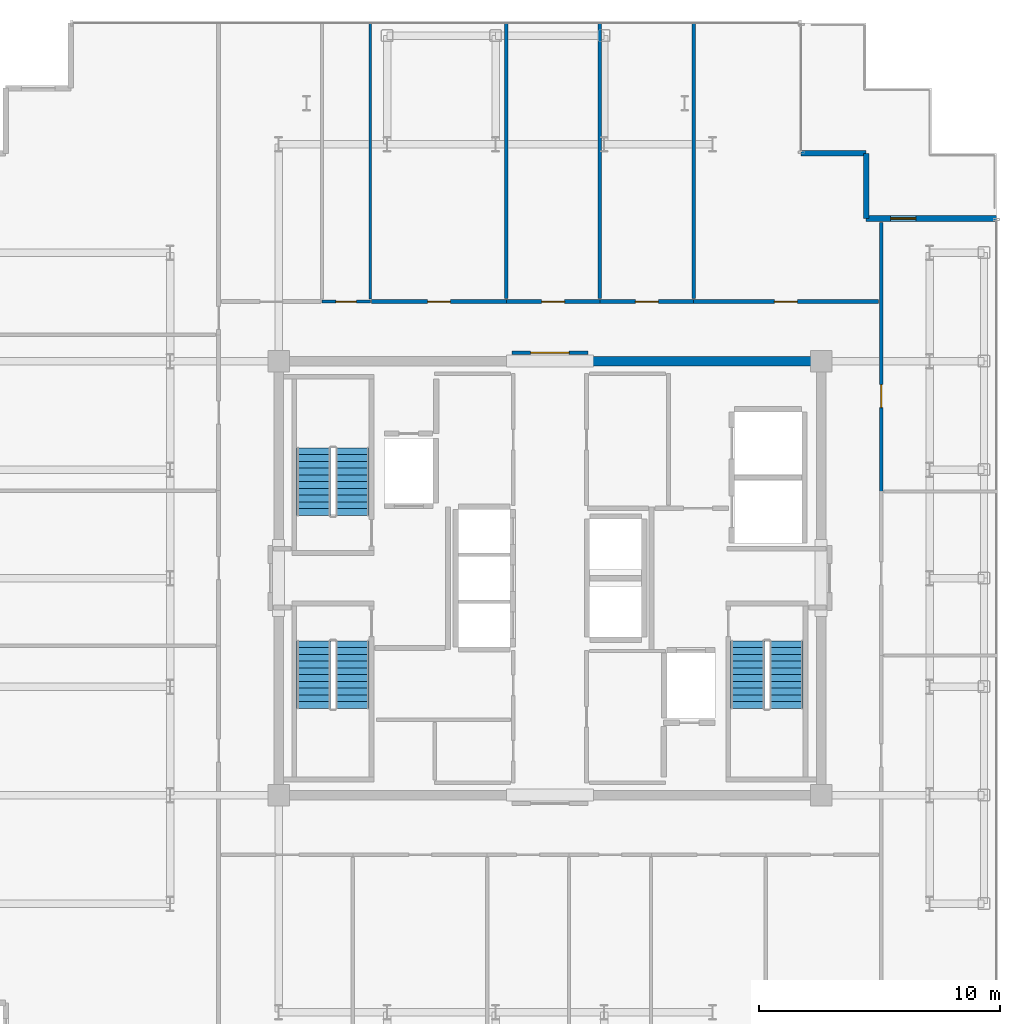
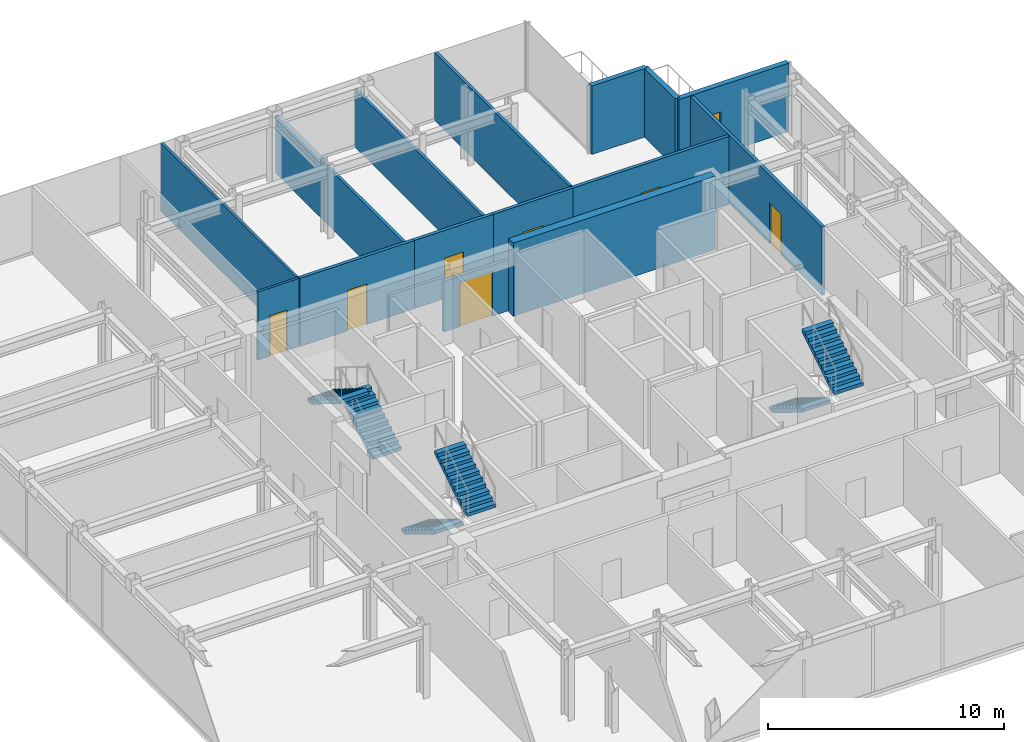
# One storey, part 15 of 17: 15 walls, 8 doors, 6 stair flights, 8 openings, 3 elements without a shape of their own.
"""IFC4 building model written with IfcOpenShell, lengths in metres."""

from ifc_helpers import new_model, si_unit, direction, frame, frame_2d, origin, place, context, subcontext, project, spatial, polyline, rectangle, outline, extrude, source, transform, mapped, material, layer, layer_set, type_object, element, fill, aggregate, save


model = new_model("IFC4")

# Units and contexts
model_context = context("Model", 3, precision=1e-05, world=origin(), true_north=direction((0.0, 1.0)))
body_context = subcontext(model_context, "Body", "Model", "MODEL_VIEW")
ifc_project = project(units=[si_unit("LENGTHUNIT", "METRE"), si_unit("AREAUNIT", "SQUARE_METRE"), si_unit("VOLUMEUNIT", "CUBIC_METRE"), si_unit("PLANEANGLEUNIT", "RADIAN"), si_unit("MASSUNIT", "GRAM", prefix="KILO")], contexts=[model_context])

# Site, building, storey
site_placement = place(None, origin())
site = spatial("IfcSite", under=ifc_project, at=site_placement, CompositionType="ELEMENT")
building_placement = place(site_placement, origin())
building = spatial("IfcBuilding", under=site, at=building_placement, Name="Nefas-Gora Pilgrimage Tower", CompositionType="ELEMENT")
storey_placement = place(building_placement, frame((0.0, 0.0, 337.60009765625)))
storey = spatial("IfcBuildingStorey", under=building, at=storey_placement, Name="L85", CompositionType="ELEMENT", Elevation=337.60009765625)

# Wall
ifc_material_1 = material(Name="Concrete C50/60", Category="concrete")
ifc_layer_1 = layer(ifc_material_1, 0.39990234375)
ifc_layer_set_1 = layer_set([ifc_layer_1], Name="Concrete C50/60")
wall_type_1 = type_object("IfcWallType", Name="SW-CORE-400", PredefinedType="SHEAR", material=ifc_layer_set_1)
shared_shape_1 = source(origin(), body_context, "Body", "SweptSolid", [
    extrude(rectangle(XDim=9.89990234375, YDim=0.39990234375, at=frame_2d((4.949951171875, 0.0))), origin(), (0.0, 0.0, 1.0), 3.7998046875),
])
wall_1_placement = place(storey_placement, frame((1.550048828125, 9.0, 0.0), z_axis=(0.0, 0.0, 1.0), x_axis=(1.0, 0.0, 0.0)))
element("IfcWall", 1, at=wall_1_placement, inside=storey, type_object=wall_type_1, Name="L85 Core Shear Wall N-East", PredefinedType="SHEAR", context=body_context, shape_type="MappedRepresentation", body=[
    mapped(shared_shape_1, transform((0.0, 0.0, 0.0), x_axis=(1.0, 0.0, 0.0), y_axis=(0.0, 1.0, 0.0), z_axis=(0.0, 0.0, 1.0), scale=1.0)),
])

# Wall, opening, door
ifc_material_2 = material(Name="Precast concrete C40/50", Category="concrete")
ifc_layer_2 = layer(ifc_material_2, 0.260009765625)
ifc_layer_set_2 = layer_set([ifc_layer_2], Name="Precast concrete C40/50")
wall_type_2 = type_object("IfcWallType", Name="EW-PORTAL-260", PredefinedType="SOLIDWALL", material=ifc_layer_set_2)
shared_shape_2 = source(origin(), body_context, "Body", "SweptSolid", [
    extrude(rectangle(XDim=5.39990234375, YDim=0.260009765625, at=frame_2d((2.699951171875, 0.0))), origin(), (0.0, 0.0, 1.0), 3.5498046875),
])
wall_2_placement = place(storey_placement, frame((18.52001953125, 14.919921875, 0.0), z_axis=(0.0, 0.0, 1.0), x_axis=(-1.0, 0.0, 0.0)))
wall_2 = element("IfcWall", 2, at=wall_2_placement, inside=storey, type_object=wall_type_2, Name="L85 Insulated Terrace Portal Wall 1", PredefinedType="SOLIDWALL", context=body_context, shape_type="MappedRepresentation", body=[
    mapped(shared_shape_2, transform((0.0, 0.0, 0.0), x_axis=(1.0, 0.0, 0.0), y_axis=(0.0, 1.0, 0.0), z_axis=(0.0, 0.0, 1.0), scale=1.0)),
])
opening_1_placement = place(wall_2_placement, frame((3.342041015625, 0.0, 0.0)))
opening_1 = element("IfcOpeningElement", 3, at=opening_1_placement, cuts=wall_2, Name="Opening ED-T1", PredefinedType="OPENING", context=body_context, shape_type="SweptSolid", body=[
    extrude(rectangle(XDim=1.050048828125, YDim=2.199951171875, at=frame_2d((0.52490234375, 1.10009765625))), frame((0.0, 0.139892578125, 0.0), z_axis=(0.0, -1.0, 0.0), x_axis=(1.0, 0.0, 0.0)), (0.0, 0.0, 1.0), 0.280029296875),
])
ifc_material_3 = material(Name="Thermally broken glazed aluminium terrace door", Category="aluminium")
door_type_1 = type_object("IfcDoorType", Name="DR-EXT-TER-1050", OperationType="NOTDEFINED", PredefinedType="DOOR", material=ifc_material_3)
shared_shape_3 = source(origin(), body_context, "Body", "SweptSolid", [
    extrude(rectangle(XDim=1.050048828125, YDim=2.199951171875, at=frame_2d((0.52490234375, 1.10009765625))), frame((0.0, 0.02490234375, 0.0), z_axis=(0.0, -1.0, 0.0), x_axis=(1.0, 0.0, 0.0)), (0.0, 0.0, 1.0), 0.050048828125),
])
door_1_placement = place(opening_1_placement, origin())
door_1 = element("IfcDoor", 4, at=door_1_placement, inside=storey, type_object=door_type_1, Name="L85 Exterior Door (L85 Outdoor Terrace TER-SP-NE)", OperationType="SINGLE_SWING_LEFT", OverallHeight=2.199951171875, OverallWidth=1.050048828125, PredefinedType="DOOR", context=body_context, shape_type="MappedRepresentation", body=[
    mapped(shared_shape_3, transform((0.0, 0.0, 0.0), x_axis=(1.0, 0.0, 0.0), y_axis=(0.0, 1.0, 0.0), z_axis=(0.0, 0.0, 1.0), scale=1.0)),
])
fill(opening_1, door_1)

# Walls
ifc_material_4 = material(Name="Precast concrete C45/55", Category="concrete")
ifc_layer_3 = layer(ifc_material_4, 0.239990234375)
ifc_layer_set_3 = layer_set([ifc_layer_3], Name="Precast concrete C45/55")
wall_type_3 = type_object("IfcWallType", Name="EW-SERR-240", PredefinedType="SHEAR", material=ifc_layer_set_3)
shared_shape_4 = source(origin(), body_context, "Body", "SweptSolid", [
    extrude(rectangle(XDim=2.7001953125, YDim=0.239990234375, at=frame_2d((1.35009765625, 0.0))), origin(), (0.0, 0.0, 1.0), 3.5498046875),
])
for number, where, z_axis, x_axis, name in (
    (5, (13.1201171875, 14.919921875, 0.0), (0.0, 0.0, 1.0), (0.0, 1.0, 0.0), "L85 Serrated Corner Shear Pier Wall 2"),
    (6, (13.1201171875, 17.6201171875, 0.0), (0.0, 0.0, 1.0), (-1.0, 0.0, 0.0), "L85 Serrated Corner Shear Pier Wall 3"),
):
    element("IfcWall", number, at=place(storey_placement, frame(where, z_axis=z_axis, x_axis=x_axis)), inside=storey, type_object=wall_type_3, Name=name, PredefinedType="SHEAR", context=body_context, shape_type="MappedRepresentation", body=[
        mapped(shared_shape_4, transform((0.0, 0.0, 0.0), x_axis=(1.0, 0.0, 0.0), y_axis=(0.0, 1.0, 0.0), z_axis=(0.0, 0.0, 1.0), scale=1.0)),
    ])

# Wall, opening, door
ifc_material_5 = material(Name="Moisture-resistant fire-rated gypsum partition")
ifc_layer_4 = layer(ifc_material_5, 0.1201171875)
ifc_layer_set_4 = layer_set([ifc_layer_4], Name="Moisture-resistant fire-rated gypsum partition")
wall_type_4 = type_object("IfcWallType", Name="IW-WET-120", PredefinedType="PLUMBINGWALL", material=ifc_layer_set_4)
shared_shape_5 = source(origin(), body_context, "Body", "SweptSolid", [
    extrude(rectangle(XDim=2.02001953125, YDim=0.1201171875, at=frame_2d((1.010009765625, 0.0))), origin(), (0.0, 0.0, 1.0), 3.534912109375),
])
wall_3_placement = place(storey_placement, frame((-9.4599609375, 11.469970703125, 0.0), z_axis=(0.0, 0.0, 1.0), x_axis=(1.0, 0.0, 0.0)))
wall_3 = element("IfcWall", 7, at=wall_3_placement, inside=storey, type_object=wall_type_4, Name="L85 Accessible Unisex WC Partition Wall 34", PredefinedType="PLUMBINGWALL", context=body_context, shape_type="MappedRepresentation", body=[
    mapped(shared_shape_5, transform((0.0, 0.0, 0.0), x_axis=(1.0, 0.0, 0.0), y_axis=(0.0, 1.0, 0.0), z_axis=(0.0, 0.0, 1.0), scale=1.0)),
])
opening_2_placement = place(wall_3_placement, frame((0.5849609375, 0.0, 0.0)))
opening_2 = element("IfcOpeningElement", 8, at=opening_2_placement, cuts=wall_3, Name="Opening ID-BT1", PredefinedType="OPENING", context=body_context, shape_type="SweptSolid", body=[
    extrude(rectangle(XDim=0.85009765625, YDim=2.10009765625, at=frame_2d((0.425048828125, 1.050048828125))), frame((0.0, 0.070068359375, 0.0), z_axis=(0.0, -1.0, 0.0), x_axis=(1.0, 0.0, 0.0)), (0.0, 0.0, 1.0), 0.14013671875),
])
ifc_material_6 = material(Name="Moisture-resistant fire-rated timber door", Category="wood")
door_type_2 = type_object("IfcDoorType", Name="DR-INT-BATH-850", OperationType="NOTDEFINED", PredefinedType="DOOR", material=ifc_material_6)
shared_shape_6 = source(origin(), body_context, "Body", "SweptSolid", [
    extrude(rectangle(XDim=0.85009765625, YDim=2.10009765625, at=frame_2d((0.425048828125, 1.050048828125))), frame((0.0, 0.02490234375, 0.0), z_axis=(0.0, -1.0, 0.0), x_axis=(1.0, 0.0, 0.0)), (0.0, 0.0, 1.0), 0.050048828125),
])
door_2_placement = place(opening_2_placement, origin())
door_2 = element("IfcDoor", 9, at=door_2_placement, inside=storey, type_object=door_type_2, Name="L85 Accessible Unisex WC Door 14", OperationType="SINGLE_SWING_RIGHT", OverallHeight=2.10009765625, OverallWidth=0.85009765625, PredefinedType="DOOR", context=body_context, shape_type="MappedRepresentation", body=[
    mapped(shared_shape_6, transform((0.0, 0.0, 0.0), x_axis=(1.0, 0.0, 0.0), y_axis=(0.0, 1.0, 0.0), z_axis=(0.0, 0.0, 1.0), scale=1.0)),
])
fill(opening_2, door_2)

ifc_material_7 = material(Name="Gypsum acoustic stud partition")
ifc_layer_5 = layer(ifc_material_7, 0.159912109375)
ifc_layer_set_5 = layer_set([ifc_layer_5], Name="Gypsum acoustic stud partition")
wall_type_5 = type_object("IfcWallType", Name="IW-CORR-160", PredefinedType="PARTITIONING", material=ifc_layer_set_5)
shared_shape_7 = source(origin(), body_context, "Body", "SweptSolid", [
    extrude(rectangle(XDim=5.610107421875, YDim=0.159912109375, at=frame_2d((2.80517578125, 0.0))), origin(), (0.0, 0.0, 1.0), 3.534912109375),
])
wall_4_placement = place(storey_placement, frame((-7.405029296875, 11.469970703125, 0.0), z_axis=(0.0, 0.0, 1.0), x_axis=(1.0, 0.0, 0.0)))
wall_4 = element("IfcWall", 10, at=wall_4_placement, inside=storey, type_object=wall_type_5, Name="L85 Pilgrim Contemplative Lounge Partition Wall 50", PredefinedType="PARTITIONING", context=body_context, shape_type="MappedRepresentation", body=[
    mapped(shared_shape_7, transform((0.0, 0.0, 0.0), x_axis=(1.0, 0.0, 0.0), y_axis=(0.0, 1.0, 0.0), z_axis=(0.0, 0.0, 1.0), scale=1.0)),
])
opening_3_placement = place(wall_4_placement, frame((2.330078125, 0.0, 0.0)))
opening_3 = element("IfcOpeningElement", 11, at=opening_3_placement, cuts=wall_4, Name="Opening ID-GR1", PredefinedType="OPENING", context=body_context, shape_type="SweptSolid", body=[
    extrude(rectangle(XDim=0.949951171875, YDim=2.10009765625, at=frame_2d((0.47509765625, 1.050048828125))), frame((0.0, 0.08984375, 0.0), z_axis=(0.0, -1.0, 0.0), x_axis=(1.0, 0.0, 0.0)), (0.0, 0.0, 1.0), 0.179931640625),
])
ifc_material_8 = material(Name="Solid core oak fire-rated guest entrance door")
door_type_3 = type_object("IfcDoorType", Name="DR-INT-GUEST-950", OperationType="NOTDEFINED", PredefinedType="DOOR", material=ifc_material_8)
shared_shape_8 = source(origin(), body_context, "Body", "SweptSolid", [
    extrude(rectangle(XDim=0.949951171875, YDim=2.10009765625, at=frame_2d((0.47509765625, 1.050048828125))), frame((0.0, 0.02490234375, 0.0), z_axis=(0.0, -1.0, 0.0), x_axis=(1.0, 0.0, 0.0)), (0.0, 0.0, 1.0), 0.050048828125),
])
door_3_placement = place(opening_3_placement, origin())
door_3 = element("IfcDoor", 12, at=door_3_placement, inside=storey, type_object=door_type_3, Name="L85 Pilgrim Contemplative Lounge Door 23", OperationType="SINGLE_SWING_LEFT", OverallHeight=2.10009765625, OverallWidth=0.949951171875, PredefinedType="DOOR", context=body_context, shape_type="MappedRepresentation", body=[
    mapped(shared_shape_8, transform((0.0, 0.0, 0.0), x_axis=(1.0, 0.0, 0.0), y_axis=(0.0, 1.0, 0.0), z_axis=(0.0, 0.0, 1.0), scale=1.0)),
])
fill(opening_3, door_3)

shared_shape_9 = source(origin(), body_context, "Body", "SweptSolid", [
    extrude(rectangle(XDim=7.66015625, YDim=0.159912109375, at=frame_2d((3.830078125, 0.0))), origin(), (0.0, 0.0, 1.0), 3.534912109375),
])
wall_5_placement = place(storey_placement, frame((5.9599609375, 11.469970703125, 0.0), z_axis=(0.0, 0.0, 1.0), x_axis=(1.0, 0.0, 0.0)))
wall_5 = element("IfcWall", 13, at=wall_5_placement, inside=storey, type_object=wall_type_5, Name="L85 Pilgrim Contemplative Lounge Partition Wall 52", PredefinedType="PARTITIONING", context=body_context, shape_type="MappedRepresentation", body=[
    mapped(shared_shape_9, transform((0.0, 0.0, 0.0), x_axis=(1.0, 0.0, 0.0), y_axis=(0.0, 1.0, 0.0), z_axis=(0.0, 0.0, 1.0), scale=1.0)),
])
opening_4_placement = place(wall_5_placement, frame((3.35498046875, 0.0, 0.0)))
opening_4 = element("IfcOpeningElement", 14, at=opening_4_placement, cuts=wall_5, Name="Opening ID-GR1", PredefinedType="OPENING", context=body_context, shape_type="SweptSolid", body=[
    extrude(rectangle(XDim=0.949951171875, YDim=2.10009765625, at=frame_2d((0.47509765625, 1.050048828125))), frame((0.0, 0.08984375, 0.0), z_axis=(0.0, -1.0, 0.0), x_axis=(1.0, 0.0, 0.0)), (0.0, 0.0, 1.0), 0.179931640625),
])
door_4_placement = place(opening_4_placement, origin())
door_4 = element("IfcDoor", 15, at=door_4_placement, inside=storey, type_object=door_type_3, Name="L85 Pilgrim Contemplative Lounge Door 24", OperationType="SINGLE_SWING_RIGHT", OverallHeight=2.10009765625, OverallWidth=0.949951171875, PredefinedType="DOOR", context=body_context, shape_type="MappedRepresentation", body=[
    mapped(shared_shape_8, transform((0.0, 0.0, 0.0), x_axis=(1.0, 0.0, 0.0), y_axis=(0.0, 1.0, 0.0), z_axis=(0.0, 0.0, 1.0), scale=1.0)),
])
fill(opening_4, door_4)

shared_shape_10 = source(origin(), body_context, "Body", "SweptSolid", [
    extrude(rectangle(XDim=3.88232421875, YDim=0.159912109375, at=frame_2d((1.941162109375, 0.0))), origin(), (0.0, 0.0, 1.0), 3.534912109375),
])
wall_6_placement = place(storey_placement, frame((-1.804931640625, 11.469970703125, 0.0), z_axis=(0.0, 0.0, 1.0), x_axis=(1.0, 0.0, 0.0)))
wall_6 = element("IfcWall", 16, at=wall_6_placement, inside=storey, type_object=wall_type_5, Name="L85 Pilgrim Contemplative Lounge Partition Wall 54", PredefinedType="PARTITIONING", context=body_context, shape_type="MappedRepresentation", body=[
    mapped(shared_shape_10, transform((0.0, 0.0, 0.0), x_axis=(1.0, 0.0, 0.0), y_axis=(0.0, 1.0, 0.0), z_axis=(0.0, 0.0, 1.0), scale=1.0)),
])
opening_5_placement = place(wall_6_placement, frame((1.46630859375, 0.0, 0.0)))
opening_5 = element("IfcOpeningElement", 17, at=opening_5_placement, cuts=wall_6, Name="Opening ID-GR1", PredefinedType="OPENING", context=body_context, shape_type="SweptSolid", body=[
    extrude(rectangle(XDim=0.949951171875, YDim=2.10009765625, at=frame_2d((0.47509765625, 1.050048828125))), frame((0.0, 0.08984375, 0.0), z_axis=(0.0, -1.0, 0.0), x_axis=(1.0, 0.0, 0.0)), (0.0, 0.0, 1.0), 0.179931640625),
])
door_5_placement = place(opening_5_placement, origin())
door_5 = element("IfcDoor", 18, at=door_5_placement, inside=storey, type_object=door_type_3, Name="L85 Pilgrim Contemplative Lounge Door 25", OperationType="SINGLE_SWING_LEFT", OverallHeight=2.10009765625, OverallWidth=0.949951171875, PredefinedType="DOOR", context=body_context, shape_type="MappedRepresentation", body=[
    mapped(shared_shape_8, transform((0.0, 0.0, 0.0), x_axis=(1.0, 0.0, 0.0), y_axis=(0.0, 1.0, 0.0), z_axis=(0.0, 0.0, 1.0), scale=1.0)),
])
fill(opening_5, door_5)

shared_shape_11 = source(origin(), body_context, "Body", "SweptSolid", [
    extrude(rectangle(XDim=3.882568359375, YDim=0.159912109375, at=frame_2d((1.94140625, 0.0))), origin(), (0.0, 0.0, 1.0), 3.534912109375),
])
wall_7_placement = place(storey_placement, frame((2.077392578125, 11.469970703125, 0.0), z_axis=(0.0, 0.0, 1.0), x_axis=(1.0, 0.0, 0.0)))
wall_7 = element("IfcWall", 19, at=wall_7_placement, inside=storey, type_object=wall_type_5, Name="L85 Pilgrim Contemplative Lounge Partition Wall 56", PredefinedType="PARTITIONING", context=body_context, shape_type="MappedRepresentation", body=[
    mapped(shared_shape_11, transform((0.0, 0.0, 0.0), x_axis=(1.0, 0.0, 0.0), y_axis=(0.0, 1.0, 0.0), z_axis=(0.0, 0.0, 1.0), scale=1.0)),
])
opening_6_placement = place(wall_7_placement, frame((1.46630859375, 0.0, 0.0)))
opening_6 = element("IfcOpeningElement", 20, at=opening_6_placement, cuts=wall_7, Name="Opening ID-GR1", PredefinedType="OPENING", context=body_context, shape_type="SweptSolid", body=[
    extrude(rectangle(XDim=0.949951171875, YDim=2.10009765625, at=frame_2d((0.47509765625, 1.050048828125))), frame((0.0, 0.08984375, 0.0), z_axis=(0.0, -1.0, 0.0), x_axis=(1.0, 0.0, 0.0)), (0.0, 0.0, 1.0), 0.179931640625),
])
door_6_placement = place(opening_6_placement, origin())
door_6 = element("IfcDoor", 21, at=door_6_placement, inside=storey, type_object=door_type_3, Name="L85 Pilgrim Contemplative Lounge Door 26", OperationType="SINGLE_SWING_RIGHT", OverallHeight=2.10009765625, OverallWidth=0.949951171875, PredefinedType="DOOR", context=body_context, shape_type="MappedRepresentation", body=[
    mapped(shared_shape_8, transform((0.0, 0.0, 0.0), x_axis=(1.0, 0.0, 0.0), y_axis=(0.0, 1.0, 0.0), z_axis=(0.0, 0.0, 1.0), scale=1.0)),
])
fill(opening_6, door_6)

shared_shape_12 = source(origin(), body_context, "Body", "SweptSolid", [
    extrude(rectangle(XDim=3.16015625, YDim=0.159912109375, at=frame_2d((1.580078125, 0.0))), origin(), (0.0, 0.0, 1.0), 2.625),
])
wall_8_placement = place(storey_placement, frame((-1.580078125, 9.35009765625, 0.0), z_axis=(0.0, 0.0, 1.0), x_axis=(1.0, 0.0, 0.0)))
wall_8 = element("IfcWall", 22, at=wall_8_placement, inside=storey, type_object=wall_type_5, Name="L85 Central Lift Lobby North Portal Wall 16", PredefinedType="PARTITIONING", context=body_context, shape_type="MappedRepresentation", body=[
    mapped(shared_shape_12, transform((0.0, 0.0, 0.0), x_axis=(1.0, 0.0, 0.0), y_axis=(0.0, 1.0, 0.0), z_axis=(0.0, 0.0, 1.0), scale=1.0)),
])
opening_7_placement = place(wall_8_placement, frame((0.780029296875, 0.0, 0.0)))
opening_7 = element("IfcOpeningElement", 23, at=opening_7_placement, cuts=wall_8, Name="Opening ID-HL1", PredefinedType="OPENING", context=body_context, shape_type="SweptSolid", body=[
    extrude(rectangle(XDim=1.60009765625, YDim=2.300048828125, at=frame_2d((0.800048828125, 1.14990234375))), frame((0.0, 0.08984375, 0.0), z_axis=(0.0, -1.0, 0.0), x_axis=(1.0, 0.0, 0.0)), (0.0, 0.0, 1.0), 0.179931640625),
])
ifc_material_9 = material(Name="Double acoustic timber assembly hall door", Category="wood")
door_type_4 = type_object("IfcDoorType", Name="DR-INT-HALL-1600", OperationType="DOUBLE_DOOR_SINGLE_SWING", PredefinedType="DOOR", material=ifc_material_9)
shared_shape_13 = source(origin(), body_context, "Body", "SweptSolid", [
    extrude(rectangle(XDim=1.60009765625, YDim=2.300048828125, at=frame_2d((0.800048828125, 1.14990234375))), frame((0.0, 0.02490234375, 0.0), z_axis=(0.0, -1.0, 0.0), x_axis=(1.0, 0.0, 0.0)), (0.0, 0.0, 1.0), 0.050048828125),
])
door_7_placement = place(opening_7_placement, origin())
door_7 = element("IfcDoor", 24, at=door_7_placement, inside=storey, type_object=door_type_4, Name="L85 Central Lift Lobby North Portal Door 6", OperationType="DOUBLE_DOOR_SINGLE_SWING", OverallHeight=2.300048828125, OverallWidth=1.60009765625, PredefinedType="DOOR", context=body_context, shape_type="MappedRepresentation", body=[
    mapped(shared_shape_13, transform((0.0, 0.0, 0.0), x_axis=(1.0, 0.0, 0.0), y_axis=(0.0, 1.0, 0.0), z_axis=(0.0, 0.0, 1.0), scale=1.0)),
])
fill(opening_7, door_7)

# Walls
ifc_material_10 = material(Name="Gypsum twin-stud partition")
ifc_layer_6 = layer(ifc_material_10, 0.139892578125)
ifc_layer_set_6 = layer_set([ifc_layer_6], Name="Gypsum twin-stud partition")
wall_type_6 = type_object("IfcWallType", Name="IW-UNIT-140", PredefinedType="PARTITIONING", material=ifc_layer_set_6)
shared_shape_14 = source(origin(), body_context, "Body", "SweptSolid", [
    extrude(rectangle(XDim=11.449951171875, YDim=0.139892578125, at=frame_2d((5.72509765625, 0.0))), origin(), (0.0, 0.0, 1.0), 3.534912109375),
])
wall_9_placement = place(storey_placement, frame((5.969970703125, 11.590087890625, 0.0), z_axis=(0.0, 0.0, 1.0), x_axis=(0.0, 1.0, 0.0)))
element("IfcWall", 25, at=wall_9_placement, inside=storey, type_object=wall_type_6, Name="L85 Pilgrim Contemplative Lounge Partition Wall 53", PredefinedType="PARTITIONING", context=body_context, shape_type="MappedRepresentation", body=[
    mapped(shared_shape_14, transform((0.0, 0.0, 0.0), x_axis=(1.0, 0.0, 0.0), y_axis=(0.0, 1.0, 0.0), z_axis=(0.0, 0.0, 1.0), scale=1.0)),
])
shared_shape_15 = source(origin(), body_context, "Body", "SweptSolid", [
    extrude(rectangle(XDim=11.449951171875, YDim=0.139892578125, at=frame_2d((5.72509765625, 0.0))), origin(), (0.0, 0.0, 1.0), 2.974853515625),
])
for number, where, z_axis, x_axis, name in (
    (26, (-1.804931640625, 11.590087890625, 0.0), (0.0, 0.0, 1.0), (0.0, 1.0, 0.0), "L85 Pilgrim Contemplative Lounge Partition Wall 51"),
    (27, (2.0673828125, 11.590087890625, 0.0), (0.0, 0.0, 1.0), (0.0, 1.0, 0.0), "L85 Pilgrim Contemplative Lounge Partition Wall 55"),
):
    element("IfcWall", number, at=place(storey_placement, frame(where, z_axis=z_axis, x_axis=x_axis)), inside=storey, type_object=wall_type_6, Name=name, PredefinedType="PARTITIONING", context=body_context, shape_type="MappedRepresentation", body=[
        mapped(shared_shape_15, transform((0.0, 0.0, 0.0), x_axis=(1.0, 0.0, 0.0), y_axis=(0.0, 1.0, 0.0), z_axis=(0.0, 0.0, 1.0), scale=1.0)),
    ])
shared_shape_16 = source(origin(), body_context, "Body", "SweptSolid", [
    extrude(rectangle(XDim=11.469970703125, YDim=0.1201171875, at=frame_2d((5.73486328125, 0.0))), origin(), (0.0, 0.0, 1.0), 3.534912109375),
])
wall_10_placement = place(storey_placement, frame((-7.449951171875, 11.570068359375, 0.0), z_axis=(0.0, 0.0, 1.0), x_axis=(0.0, 1.0, 0.0)))
element("IfcWall", 28, at=wall_10_placement, inside=storey, type_object=wall_type_4, Name="L85 Accessible Unisex WC Partition Wall 36", PredefinedType="PLUMBINGWALL", context=body_context, shape_type="MappedRepresentation", body=[
    mapped(shared_shape_16, transform((0.0, 0.0, 0.0), x_axis=(1.0, 0.0, 0.0), y_axis=(0.0, 1.0, 0.0), z_axis=(0.0, 0.0, 1.0), scale=1.0)),
])

# Wall, opening, door
shared_shape_17 = source(origin(), body_context, "Body", "SweptSolid", [
    extrude(rectangle(XDim=11.155029296875, YDim=0.159912109375, at=frame_2d((5.57763671875, 0.0))), origin(), (0.0, 0.0, 1.0), 3.534912109375),
])
wall_11_placement = place(storey_placement, frame((13.739990234375, 3.594970703125, 0.0), z_axis=(0.0, 0.0, 1.0), x_axis=(0.0, 1.0, 0.0)))
wall_11 = element("IfcWall", 29, at=wall_11_placement, inside=storey, type_object=wall_type_5, Name="L85 Pilgrim Fellowship Seminar Room Partition Wall 48", PredefinedType="PARTITIONING", context=body_context, shape_type="MappedRepresentation", body=[
    mapped(shared_shape_17, transform((0.0, 0.0, 0.0), x_axis=(1.0, 0.0, 0.0), y_axis=(0.0, 1.0, 0.0), z_axis=(0.0, 0.0, 1.0), scale=1.0)),
])
opening_8_placement = place(wall_11_placement, frame((3.482421875, 0.0, 0.0)))
opening_8 = element("IfcOpeningElement", 30, at=opening_8_placement, cuts=wall_11, Name="Opening ID-GR1", PredefinedType="OPENING", context=body_context, shape_type="SweptSolid", body=[
    extrude(rectangle(XDim=0.949951171875, YDim=2.10009765625, at=frame_2d((0.47509765625, 1.050048828125))), frame((0.0, 0.08984375, 0.0), z_axis=(0.0, -1.0, 0.0), x_axis=(1.0, 0.0, 0.0)), (0.0, 0.0, 1.0), 0.179931640625),
])
door_8_placement = place(opening_8_placement, origin())
door_8 = element("IfcDoor", 31, at=door_8_placement, inside=storey, type_object=door_type_3, Name="L85 Pilgrim Fellowship Seminar Room Door 21", OperationType="SINGLE_SWING_LEFT", OverallHeight=2.10009765625, OverallWidth=0.949951171875, PredefinedType="DOOR", context=body_context, shape_type="MappedRepresentation", body=[
    mapped(shared_shape_8, transform((0.0, 0.0, 0.0), x_axis=(1.0, 0.0, 0.0), y_axis=(0.0, 1.0, 0.0), z_axis=(0.0, 0.0, 1.0), scale=1.0)),
])
fill(opening_8, door_8)

# Stair, stair flights
ifc_material_11 = material(Name="Concrete C45/55", Category="concrete")
stair_type = type_object("IfcStairType", Name="STR-1400-R1727", PredefinedType="HALF_TURN_STAIR", material=ifc_material_11)
stair_1_placement = place(storey_placement, origin())
stair_1 = element("IfcStair", 32, at=stair_1_placement, inside=storey, type_object=stair_type, Name="L85 Pressurised Tower Exit Stair ST-01", PredefinedType="HALF_TURN_STAIR")
stair_flight_type = type_object("IfcStairFlightType", Name="STF-1400-R1727", PredefinedType="STRAIGHT", material=ifc_material_11)
shared_shape_18 = source(origin(), body_context, "Body", "SweptSolid", [
    extrude(outline(polyline([(0.0, 0.0), (0.0, 0.172607421875), (0.280029296875, 0.172607421875), (0.280029296875, 0.345458984375), (0.56005859375, 0.345458984375), (0.56005859375, 0.51806640625), (0.840087890625, 0.51806640625), (0.840087890625, 0.69091796875), (1.1201171875, 0.69091796875), (1.1201171875, 0.863525390625), (1.39990234375, 0.863525390625), (1.39990234375, 1.036376953125), (1.679931640625, 1.036376953125), (1.679931640625, 1.208984375), (1.9599609375, 1.208984375), (1.9599609375, 1.3818359375), (2.239990234375, 1.3818359375), (2.239990234375, 1.554443359375), (2.52001953125, 1.554443359375), (2.52001953125, 1.727294921875), (2.800048828125, 1.727294921875), (2.800048828125, 1.89990234375), (2.800048828125, 1.551025390625), (0.285400390625, 0.0), (0.0, 0.0)])), frame((0.0, 0.699951171875, 0.0), z_axis=(0.0, -1.0, 0.0), x_axis=(1.0, 0.0, 0.0)), (0.0, 0.0, 1.0), 1.39990234375),
])
stair_flight_1_placement = place(storey_placement, frame((-8.199951171875, 2.60009765625, 0.0), z_axis=(0.0, 0.0, 1.0), x_axis=(0.0, 1.0, 0.0)))
stair_flight_1 = element("IfcStairFlight", 33, at=stair_flight_1_placement, type_object=stair_flight_type, Name="ST-01 flight 1", NumberOfRisers=11, NumberOfTreads=10, PredefinedType="STRAIGHT", RiserHeight=0.172727273, TreadLength=0.28, context=body_context, shape_type="MappedRepresentation", body=[
    mapped(shared_shape_18, transform((0.0, 0.0, 0.0), x_axis=(1.0, 0.0, 0.0), y_axis=(0.0, 1.0, 0.0), z_axis=(0.0, 0.0, 1.0), scale=1.0)),
])
stair_flight_2_placement = place(storey_placement, frame((-9.800048828125, 5.39990234375, 1.89990234375), z_axis=(0.0, 0.0, 1.0), x_axis=(0.0, -1.0, 0.0)))
stair_flight_2 = element("IfcStairFlight", 34, at=stair_flight_2_placement, type_object=stair_flight_type, Name="ST-01 flight 2", NumberOfRisers=11, NumberOfTreads=10, PredefinedType="STRAIGHT", RiserHeight=0.172727273, TreadLength=0.28, context=body_context, shape_type="MappedRepresentation", body=[
    mapped(shared_shape_18, transform((0.0, 0.0, 0.0), x_axis=(1.0, 0.0, 0.0), y_axis=(0.0, 1.0, 0.0), z_axis=(0.0, 0.0, 1.0), scale=1.0)),
])
aggregate(stair_1, [stair_flight_1, stair_flight_2])

stair_2_placement = place(storey_placement, origin())
stair_2 = element("IfcStair", 35, at=stair_2_placement, inside=storey, type_object=stair_type, Name="L85 Pressurised Tower Exit Stair ST-02", PredefinedType="HALF_TURN_STAIR")
stair_flight_3_placement = place(storey_placement, frame((8.199951171875, -2.60009765625, 0.0), z_axis=(0.0, 0.0, 1.0), x_axis=(0.0, -1.0, 0.0)))
stair_flight_3 = element("IfcStairFlight", 36, at=stair_flight_3_placement, type_object=stair_flight_type, Name="ST-02 flight 1", NumberOfRisers=11, NumberOfTreads=10, PredefinedType="STRAIGHT", RiserHeight=0.172727273, TreadLength=0.28, context=body_context, shape_type="MappedRepresentation", body=[
    mapped(shared_shape_18, transform((0.0, 0.0, 0.0), x_axis=(1.0, 0.0, 0.0), y_axis=(0.0, 1.0, 0.0), z_axis=(0.0, 0.0, 1.0), scale=1.0)),
])
stair_flight_4_placement = place(storey_placement, frame((9.800048828125, -5.39990234375, 1.89990234375), z_axis=(0.0, 0.0, 1.0), x_axis=(0.0, 1.0, 0.0)))
stair_flight_4 = element("IfcStairFlight", 37, at=stair_flight_4_placement, type_object=stair_flight_type, Name="ST-02 flight 2", NumberOfRisers=11, NumberOfTreads=10, PredefinedType="STRAIGHT", RiserHeight=0.172727273, TreadLength=0.28, context=body_context, shape_type="MappedRepresentation", body=[
    mapped(shared_shape_18, transform((0.0, 0.0, 0.0), x_axis=(1.0, 0.0, 0.0), y_axis=(0.0, 1.0, 0.0), z_axis=(0.0, 0.0, 1.0), scale=1.0)),
])
aggregate(stair_2, [stair_flight_3, stair_flight_4])

stair_3_placement = place(storey_placement, origin())
stair_3 = element("IfcStair", 38, at=stair_3_placement, inside=storey, type_object=stair_type, Name="L85 Pressurised Tower Exit Stair ST-03", PredefinedType="HALF_TURN_STAIR")
stair_flight_5_placement = place(storey_placement, frame((-9.800048828125, -2.60009765625, 0.0), z_axis=(0.0, 0.0, 1.0), x_axis=(0.0, -1.0, 0.0)))
stair_flight_5 = element("IfcStairFlight", 39, at=stair_flight_5_placement, type_object=stair_flight_type, Name="ST-03 flight 1", NumberOfRisers=11, NumberOfTreads=10, PredefinedType="STRAIGHT", RiserHeight=0.172727273, TreadLength=0.28, context=body_context, shape_type="MappedRepresentation", body=[
    mapped(shared_shape_18, transform((0.0, 0.0, 0.0), x_axis=(1.0, 0.0, 0.0), y_axis=(0.0, 1.0, 0.0), z_axis=(0.0, 0.0, 1.0), scale=1.0)),
])
stair_flight_6_placement = place(storey_placement, frame((-8.199951171875, -5.39990234375, 1.89990234375), z_axis=(0.0, 0.0, 1.0), x_axis=(0.0, 1.0, 0.0)))
stair_flight_6 = element("IfcStairFlight", 40, at=stair_flight_6_placement, type_object=stair_flight_type, Name="ST-03 flight 2", NumberOfRisers=11, NumberOfTreads=10, PredefinedType="STRAIGHT", RiserHeight=0.172727273, TreadLength=0.28, context=body_context, shape_type="MappedRepresentation", body=[
    mapped(shared_shape_18, transform((0.0, 0.0, 0.0), x_axis=(1.0, 0.0, 0.0), y_axis=(0.0, 1.0, 0.0), z_axis=(0.0, 0.0, 1.0), scale=1.0)),
])
aggregate(stair_3, [stair_flight_5, stair_flight_6])

save(model, "model.ifc")
